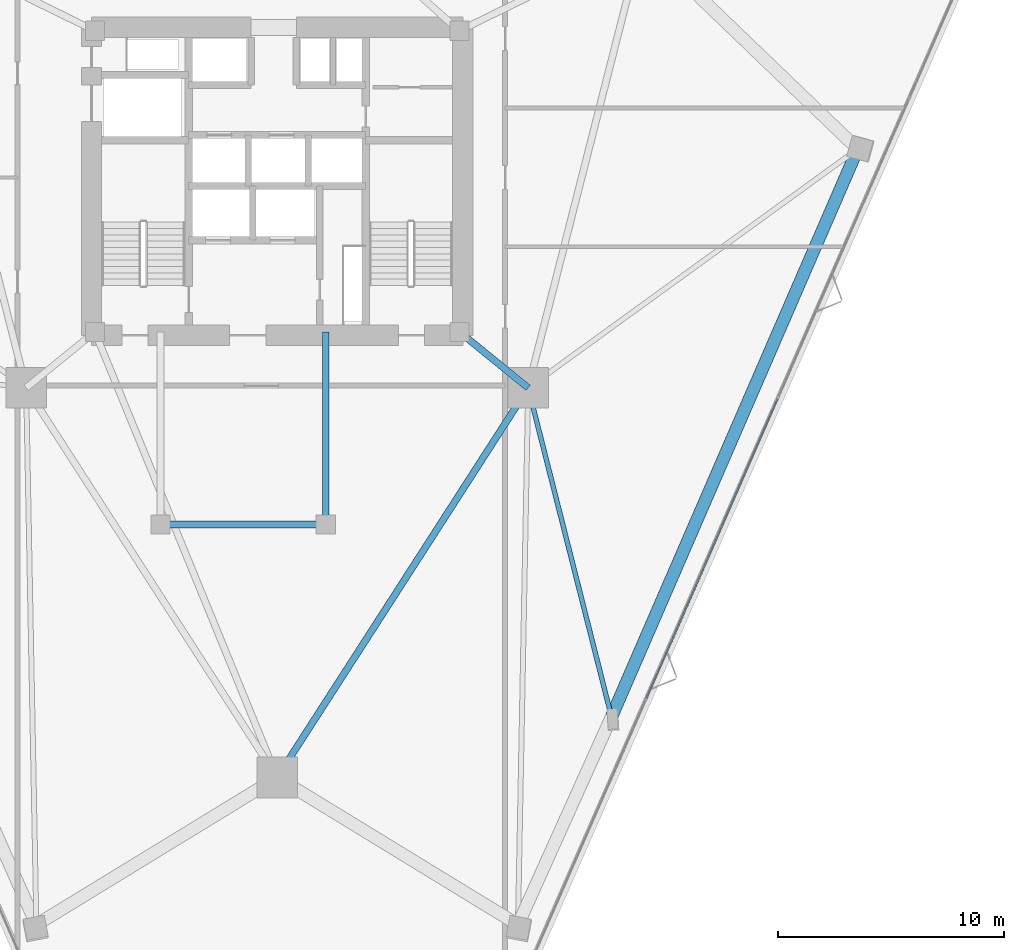
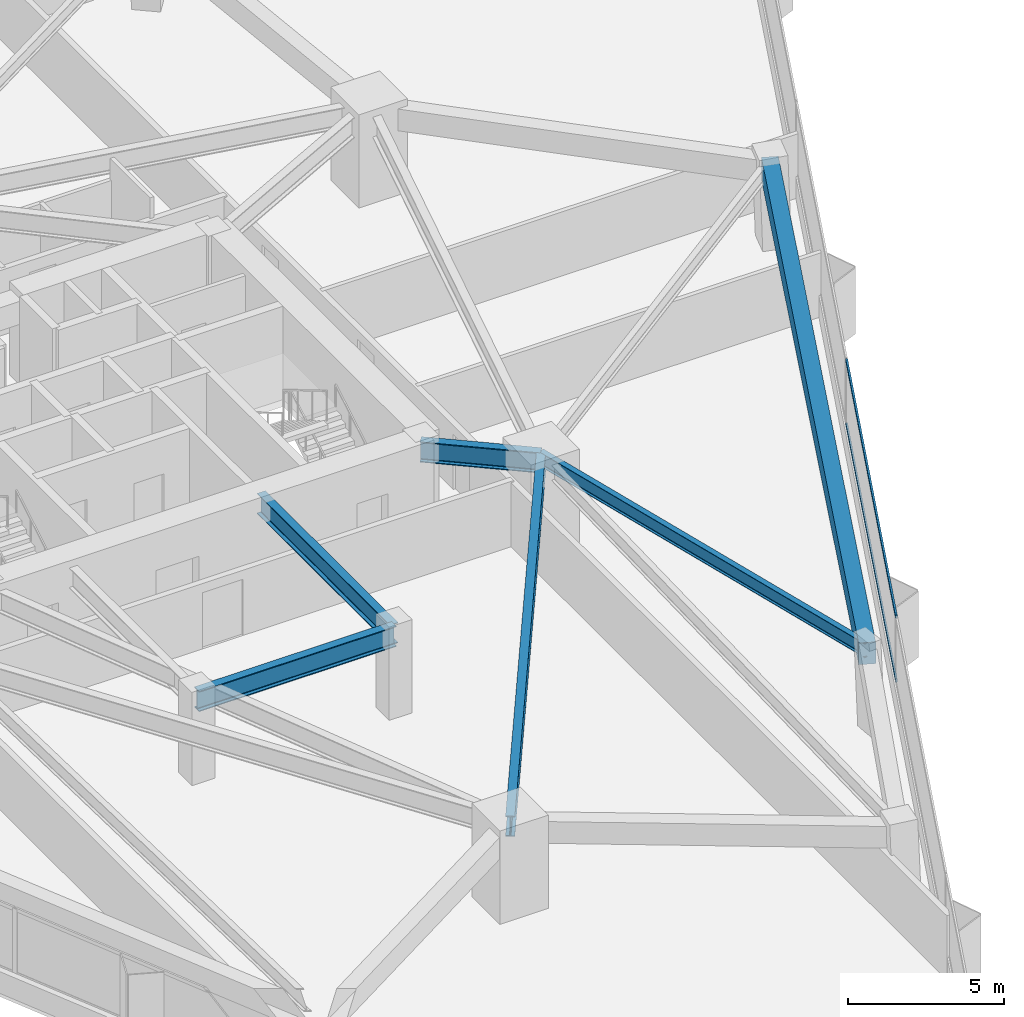
# One storey, part 8 of 20: 6 beams, 2 members, 1 element without a shape of its own.
"""IFC4 building model written with IfcOpenShell, lengths in metres."""

import ifcopenshell
import ifcopenshell.guid

model = None  # the IFC model being written
_history = None  # IfcOwnerHistory: only IFC2X3 demands one
_inside = {}  # id of a spatial element -> (the spatial element, [elements in it])
_under = {}  # id of a project, library or spatial element -> (it, [spatial elements below it])
_declared = {}  # id of a project -> (the project, [libraries it declares])
_typed = {}  # id of a type object -> (the type object, [elements of that type])
_made_of = {}  # id of a material, layer set ... -> (it, [elements and type objects made of it])


def new_model(schema):
    """Start an empty IFC model of exactly this schema.

    Asked for "IFC4X3", IfcOpenShell would pick the latest addendum, in which some entities
    have other attributes; the version numbers below select the first issue.
    IFC2X3 requires an IfcOwnerHistory on every rooted entity: one is made here for all.
    """
    global model, _history
    if schema == "IFC4X3":
        model = ifcopenshell.file(schema_version=(4, 3, 0, 0))
    else:
        model = ifcopenshell.file(schema=schema)
    _inside.clear()
    _under.clear()
    _declared.clear()
    _typed.clear()
    _made_of.clear()
    _history = None
    if model.schema == "IFC2X3":
        org = make("IfcOrganization", Name="unknown")
        user = make(
            "IfcPersonAndOrganization",
            ThePerson=make("IfcPerson", FamilyName="unknown"),
            TheOrganization=org,
        )
        app = make(
            "IfcApplication",
            ApplicationDeveloper=org,
            Version="unknown",
            ApplicationFullName="unknown",
            ApplicationIdentifier="unknown",
        )
        _history = make(
            "IfcOwnerHistory",
            OwningUser=user,
            OwningApplication=app,
            ChangeAction="ADDED",
            CreationDate=0,
        )
    return model


def make(cls, **values):
    """One entity of the class cls with the attributes given. An attribute that is None is left unset."""
    return model.create_entity(
        cls, **{name: value for name, value in values.items() if value is not None}
    )


def rooted(cls, **values):
    """An entity with a GlobalId (a new one), such as an element, a storey or a relation."""
    return make(cls, GlobalId=ifcopenshell.guid.new(), OwnerHistory=_history, **values)


def si_unit(unit_type, name, prefix=None):
    """IfcSIUnit, for example si_unit("LENGTHUNIT", "METRE", prefix="MILLI")."""
    return make("IfcSIUnit", UnitType=unit_type, Prefix=prefix, Name=name)


def assignment(units):
    """IfcUnitAssignment: the units of a project."""
    return None if units is None else make("IfcUnitAssignment", Units=units)


def point(xyz):
    """IfcCartesianPoint."""
    return None if xyz is None else make("IfcCartesianPoint", Coordinates=xyz)


def direction(xyz):
    """IfcDirection."""
    return None if xyz is None else make("IfcDirection", DirectionRatios=xyz)


def frame(location, z_axis=None, x_axis=None):
    """IfcAxis2Placement3D, a coordinate frame: its origin and axes. An axis left out is left unset."""
    return make(
        "IfcAxis2Placement3D",
        Location=point(location),
        Axis=direction(z_axis),
        RefDirection=direction(x_axis),
    )


def frame_2d(location, x_axis=None):
    """IfcAxis2Placement2D, a coordinate frame in the plane: its origin and x axis."""
    return make(
        "IfcAxis2Placement2D", Location=point(location), RefDirection=direction(x_axis)
    )


def origin():
    """The frame at (0, 0, 0) with its axes left unset."""
    return frame((0.0, 0.0, 0.0))


def origin_2d():
    """The frame at (0, 0) in the plane with its x axis left unset."""
    return frame_2d((0.0, 0.0))


def place(relative_to, where):
    """IfcLocalPlacement: puts the frame where relative to a parent placement (None: the world)."""
    return make(
        "IfcLocalPlacement", PlacementRelTo=relative_to, RelativePlacement=where
    )


def context(
    kind, dimensions, precision=None, world=None, true_north=None, identifier=None
):
    """IfcGeometricRepresentationContext, for example the 3D "Model" context."""
    return make(
        "IfcGeometricRepresentationContext",
        ContextIdentifier=identifier,
        ContextType=kind,
        CoordinateSpaceDimension=dimensions,
        Precision=precision,
        WorldCoordinateSystem=world,
        TrueNorth=true_north,
    )


def subcontext(parent, identifier, kind, view, scale=None):
    """IfcGeometricRepresentationSubContext, for example "Body" below "Model"."""
    return make(
        "IfcGeometricRepresentationSubContext",
        ContextIdentifier=identifier,
        ContextType=kind,
        ParentContext=parent,
        TargetScale=scale,
        TargetView=view,
    )


def project(units=None, contexts=None):
    """IfcProject with its units and contexts."""
    return rooted(
        "IfcProject",
        Name="project",
        RepresentationContexts=contexts,
        UnitsInContext=assignment(units),
    )


def spatial(cls, under=None, at=None, **own):
    """A site, building, storey or space (cls), placed at a placement, below another one or the project."""
    s = rooted(cls, ObjectPlacement=at, **own)
    if under is not None:
        _under.setdefault(under.id(), (under, []))[1].append(s)
    return s


def profile(cls, at=None, kind="AREA", **sizes):
    """A parametric profile (cls). Its sizes go by their IFC names, for example OverallWidth=200.0."""
    return make(cls, ProfileType=kind, Position=at, **sizes)


def rectangle(**sizes):
    """IfcRectangleProfileDef."""
    return profile("IfcRectangleProfileDef", **sizes)


def i_section(**sizes):
    """IfcIShapeProfileDef."""
    return profile("IfcIShapeProfileDef", **sizes)


def extrude(swept, where, along, depth):
    """IfcExtrudedAreaSolid: the profile swept, set in the frame where, extruded along a direction by depth."""
    return make(
        "IfcExtrudedAreaSolid",
        SweptArea=swept,
        Position=where,
        ExtrudedDirection=direction(along),
        Depth=depth,
    )


def shape(context_of_items, identifier, shape_type, items):
    """IfcShapeRepresentation: the items that make up one representation, for example the "Body"."""
    return make(
        "IfcShapeRepresentation",
        ContextOfItems=context_of_items,
        RepresentationIdentifier=identifier,
        RepresentationType=shape_type,
        Items=items,
    )


def material(Name=None, Category=None):
    """IfcMaterial."""
    return make("IfcMaterial", Name=Name, Category=Category)


def layer(
    of_material, thickness, ventilated=None, Name=None, Category=None, Priority=None
):
    """IfcMaterialLayer: one layer of a wall or slab, of a material (None: an air gap)."""
    return make(
        "IfcMaterialLayer",
        Material=of_material,
        LayerThickness=thickness,
        IsVentilated=ventilated,
        Name=Name,
        Category=Category,
        Priority=Priority,
    )


def layer_set(layers, Name=None):
    """IfcMaterialLayerSet."""
    return make("IfcMaterialLayerSet", MaterialLayers=layers, LayerSetName=Name)


def material_profile(
    of_material, cross_section, Name=None, Category=None, Priority=None
):
    """IfcMaterialProfile: a cross section and its material."""
    return make(
        "IfcMaterialProfile",
        Name=Name,
        Material=of_material,
        Profile=cross_section,
        Priority=Priority,
        Category=Category,
    )


def profile_set(profiles, Name=None, composite=None):
    """IfcMaterialProfileSet."""
    return make(
        "IfcMaterialProfileSet",
        Name=Name,
        MaterialProfiles=profiles,
        CompositeProfile=composite,
    )


def made_of(thing, what):
    """Note that an element or type object is made of a material, layer set ...; save() writes the relation."""
    if what is not None:
        _made_of.setdefault(what.id(), (what, []))[1].append(thing)
    return thing


def type_object(cls, material=None, **own):
    """A type object (cls), such as IfcWallType, which elements share."""
    return made_of(rooted(cls, **own), material)


def element(
    cls,
    number,
    at=None,
    inside=None,
    cuts=None,
    type_object=None,
    material=None,
    context=None,
    identifier="Body",
    shape_type=None,
    held_by="IfcProductDefinitionShape",
    body=None,
    shapes=None,
    **own,
):
    """One element of the class cls, such as IfcWall. Its Tag is "e" and its number.

    at: its placement. inside: the storey or other place that contains it. cuts: it is an
    opening in that element (IfcRelVoidsElement). A single representation is given by context,
    identifier, shape_type and body (its items); several are given by shapes. held_by: the class
    of the entity that holds the representations. save() writes the other relations.
    """
    e = rooted(cls, Tag="e%d" % number, ObjectPlacement=at, **own)
    if body is not None:
        shapes = [shape(context, identifier, shape_type, body)]
    if shapes is not None:
        e.Representation = make(held_by, Representations=shapes)
    if inside is not None:
        _inside.setdefault(inside.id(), (inside, []))[1].append(e)
    if cuts is not None:
        rooted(
            "IfcRelVoidsElement", RelatingBuildingElement=cuts, RelatedOpeningElement=e
        )
    if type_object is not None:
        _typed.setdefault(type_object.id(), (type_object, []))[1].append(e)
    return made_of(e, material)


def aggregate(whole, parts):
    """IfcRelAggregates: a whole, such as a stair, and the parts it consists of."""
    return rooted("IfcRelAggregates", RelatingObject=whole, RelatedObjects=parts)


def save(model, path):
    """Write the relations noted so far, then the file.

    IfcRelAggregates (storeys below a building ...), IfcRelContainedInSpatialStructure (elements
    in a storey), IfcRelDefinesByType, IfcRelAssociatesMaterial and IfcRelDeclares: one each for
    every whole, place, type object, material and project.
    """
    for whole, parts in _under.values():
        aggregate(whole, parts)
    for where, things in _inside.values():
        rooted(
            "IfcRelContainedInSpatialStructure",
            RelatedElements=things,
            RelatingStructure=where,
        )
    for kind, things in _typed.values():
        rooted("IfcRelDefinesByType", RelatedObjects=things, RelatingType=kind)
    for what, things in _made_of.values():
        rooted("IfcRelAssociatesMaterial", RelatedObjects=things, RelatingMaterial=what)
    for by, libraries in _declared.values():
        rooted("IfcRelDeclares", RelatingContext=by, RelatedDefinitions=libraries)
    model.write(path)


model = new_model("IFC4")

# Units and contexts
model_context = context("Model", 3, precision=1e-05, world=origin(), true_north=direction((0.0, 1.0)))
body_context = subcontext(model_context, "Body", "Model", "MODEL_VIEW")
ifc_project = project(units=[si_unit("LENGTHUNIT", "METRE"), si_unit("AREAUNIT", "SQUARE_METRE"), si_unit("VOLUMEUNIT", "CUBIC_METRE"), si_unit("PLANEANGLEUNIT", "RADIAN"), si_unit("MASSUNIT", "GRAM", prefix="KILO")], contexts=[model_context])

# Site, building, storey
site_placement = place(None, origin())
site = spatial("IfcSite", under=ifc_project, at=site_placement, CompositionType="ELEMENT")
building_placement = place(site_placement, origin())
building = spatial("IfcBuilding", under=site, at=building_placement, Name="Talyreon Biosciences Tower", CompositionType="ELEMENT")
storey_placement = place(building_placement, frame((0.0, 0.0, 37.39990234375)))
storey = spatial("IfcBuildingStorey", under=building, at=storey_placement, Name="L09", CompositionType="ELEMENT", Elevation=37.39990234375)

# Curtain wall, members
ifc_material_1 = material(Name="Thermally broken aluminium and low-E glazing", Category="aluminium")
ifc_layer = layer(ifc_material_1, 0.195068359375)
ifc_layer_set = layer_set([ifc_layer], Name="Thermally broken aluminium and low-E glazing")
curtain_wall_type = type_object("IfcCurtainWallType", Name="CurtainWall_Zone1WetLab", PredefinedType="NOTDEFINED", material=ifc_layer_set)
curtain_wall_placement = place(storey_placement, origin())
curtain_wall = element("IfcCurtainWall", 1, at=curtain_wall_placement, inside=storey, type_object=curtain_wall_type, Name="L09 Unitised Curtain Wall FCW-L09-08", PredefinedType="NOTDEFINED")
ifc_material_2 = material(Name="Anodised thermally broken aluminium", Category="aluminium")
ifc_material_profile_1 = material_profile(ifc_material_2, rectangle(XDim=0.06494140625, YDim=0.139892578125, at=origin_2d()), Name="ALUM TRANSOM 65x140")
ifc_profile_set_1 = profile_set([ifc_material_profile_1], Name="Anodised thermally broken aluminium")
member_type = type_object("IfcMemberType", Name="CWTransom_65x140", PredefinedType="USERDEFINED", material=ifc_profile_set_1)
member_1_placement = place(storey_placement, frame((88.1044921875, 58.37890625, 0.842529296875), z_axis=(-0.401223081321, -0.915980370431, 0.0), x_axis=(0.915980370431, -0.401223081321, 0.0)))
member_1 = element("IfcMember", 2, at=member_1_placement, type_object=member_type, Name="CW2 transom 3.1", ObjectType="TRANSOM", PredefinedType="USERDEFINED", context=body_context, shape_type="SweptSolid", body=[
    extrude(rectangle(XDim=0.06494140625, YDim=0.139892578125, at=origin_2d()), origin(), (0.0, 0.0, 1.0), 14.413818359375),
])
member_2_placement = place(storey_placement, frame((88.1044921875, 58.37890625, 3.342529296875), z_axis=(-0.401223081321, -0.915980370431, 0.0), x_axis=(0.915980370431, -0.401223081321, 0.0)))
member_2 = element("IfcMember", 3, at=member_2_placement, type_object=member_type, Name="CW2 transom 3.2", ObjectType="TRANSOM", PredefinedType="USERDEFINED", context=body_context, shape_type="SweptSolid", body=[
    extrude(rectangle(XDim=0.06494140625, YDim=0.139892578125, at=origin_2d()), origin(), (0.0, 0.0, 1.0), 14.413818359375),
])
aggregate(curtain_wall, [member_1, member_2])

# Beams
ifc_material_3 = material(Name="Precast concrete C45/55", Category="concrete")
ifc_material_profile_2 = material_profile(ifc_material_3, rectangle(XDim=0.550048828125, YDim=0.85009765625, at=origin_2d()), Name="RCB 550x850")
ifc_profile_set_2 = profile_set([ifc_material_profile_2], Name="Precast concrete C45/55")
beam_type_1 = type_object("IfcBeamType", Name="ExpressedSpandrel_550x850", PredefinedType="SPANDREL", material=ifc_profile_set_2)
beam_1_placement = place(storey_placement, frame((80.767333984375, 44.34912109375, 2.9501953125), z_axis=(0.397828756157, 0.91745968891, 0.0), x_axis=(-0.91745968891, 0.397828756157, 0.0)))
element("IfcBeam", 4, at=beam_1_placement, inside=storey, type_object=beam_type_1, Name="L09 Expressed Horizontal Concrete Spandrel 03", PredefinedType="SPANDREL", context=body_context, shape_type="SweptSolid", body=[
    extrude(rectangle(XDim=0.550048828125, YDim=0.85009765625, at=origin_2d()), origin(), (0.0, 0.0, 1.0), 27.333984375),
])
ifc_material_4 = material(Name="Steel SM355", Category="steel")
ifc_material_profile_3 = material_profile(ifc_material_4, i_section(OverallWidth=0.300048828125, OverallDepth=0.800048828125, WebThickness=0.017578125, FlangeThickness=0.032958984375, FilletRadius=0.030029296875, at=origin_2d()), Name="HE800B")
ifc_profile_set_3 = profile_set([ifc_material_profile_3], Name="Steel SM355")
beam_type_2 = type_object("IfcBeamType", Name="SteelGirder_HE800B", PredefinedType="BEAM", material=ifc_profile_set_3)
beam_2_placement = place(storey_placement, frame((66.0, 41.6669921875, 2.97509765625), z_axis=(0.541463723609, 0.840724114092, 0.0), x_axis=(-0.840724114092, 0.541463723609, 0.0)))
element("IfcBeam", 5, at=beam_2_placement, inside=storey, type_object=beam_type_2, Name="L09 Mega-Ring Girder 1", PredefinedType="BEAM", context=body_context, shape_type="SweptSolid", body=[
    extrude(i_section(OverallWidth=0.300048828125, OverallDepth=0.800048828125, WebThickness=0.017578125, FlangeThickness=0.032958984375, FilletRadius=0.030029296875, at=origin_2d()), origin(), (0.0, 0.0, 1.0), 20.474365234375),
])
beam_3_placement = place(storey_placement, frame((74.050048828125, 61.35009765625, 2.97509765625), z_axis=(0.775755154013, -0.631034025249, 0.0), x_axis=(0.631034025249, 0.775755154013, 0.0)))
element("IfcBeam", 6, at=beam_3_placement, inside=storey, type_object=beam_type_2, Name="L09 Radial Primary Girder 2", PredefinedType="BEAM", context=body_context, shape_type="SweptSolid", body=[
    extrude(i_section(OverallWidth=0.300048828125, OverallDepth=0.800048828125, WebThickness=0.017578125, FlangeThickness=0.032958984375, FilletRadius=0.030029296875, at=origin_2d()), origin(), (0.0, 0.0, 1.0), 3.913818359375),
])
beam_4_placement = place(storey_placement, frame((60.85009765625, 52.840087890625, 2.97509765625), z_axis=(1.0, 0.0, 0.0), x_axis=(0.0, 1.0, 0.0)))
element("IfcBeam", 7, at=beam_4_placement, inside=storey, type_object=beam_type_2, Name="L09 Crown Shaft Spine Girder S", PredefinedType="BEAM", context=body_context, shape_type="SweptSolid", body=[
    extrude(i_section(OverallWidth=0.300048828125, OverallDepth=0.800048828125, WebThickness=0.017578125, FlangeThickness=0.032958984375, FilletRadius=0.030029296875, at=origin_2d()), origin(), (0.0, 0.0, 1.0), 7.2998046875),
])
beam_5_placement = place(storey_placement, frame((68.14990234375, 52.840087890625, 2.97509765625), z_axis=(0.0, 1.0, 0.0), x_axis=(-1.0, 0.0, 0.0)))
element("IfcBeam", 8, at=beam_5_placement, inside=storey, type_object=beam_type_2, Name="L09 Crown Shaft Tie Girder E", PredefinedType="BEAM", context=body_context, shape_type="SweptSolid", body=[
    extrude(i_section(OverallWidth=0.300048828125, OverallDepth=0.800048828125, WebThickness=0.017578125, FlangeThickness=0.032958984375, FilletRadius=0.030029296875, at=origin_2d()), origin(), (0.0, 0.0, 1.0), 8.510009765625),
])
ifc_material_profile_4 = material_profile(ifc_material_4, i_section(OverallWidth=0.2099609375, OverallDepth=0.550048828125, WebThickness=0.010986328125, FlangeThickness=0.01708984375, FilletRadius=0.02392578125, at=origin_2d()), Name="IPE550")
ifc_profile_set_4 = profile_set([ifc_material_profile_4], Name="Steel SM355")
beam_type_3 = type_object("IfcBeamType", Name="SteelJoist_IPE550", PredefinedType="JOIST", material=ifc_profile_set_4)
beam_6_placement = place(storey_placement, frame((77.086181640625, 58.88037109375, 3.10009765625), z_axis=(0.245569495702, -0.969378988209, 0.0), x_axis=(0.969378988209, 0.245569495702, 0.0)))
element("IfcBeam", 9, at=beam_6_placement, inside=storey, type_object=beam_type_3, Name="L09 Radial Composite Floor Joist PL-SE", PredefinedType="JOIST", context=body_context, shape_type="SweptSolid", body=[
    extrude(i_section(OverallWidth=0.2099609375, OverallDepth=0.550048828125, WebThickness=0.010986328125, FlangeThickness=0.01708984375, FilletRadius=0.02392578125, at=origin_2d()), origin(), (0.0, 0.0, 1.0), 14.990234375),
])

save(model, "model.ifc")
